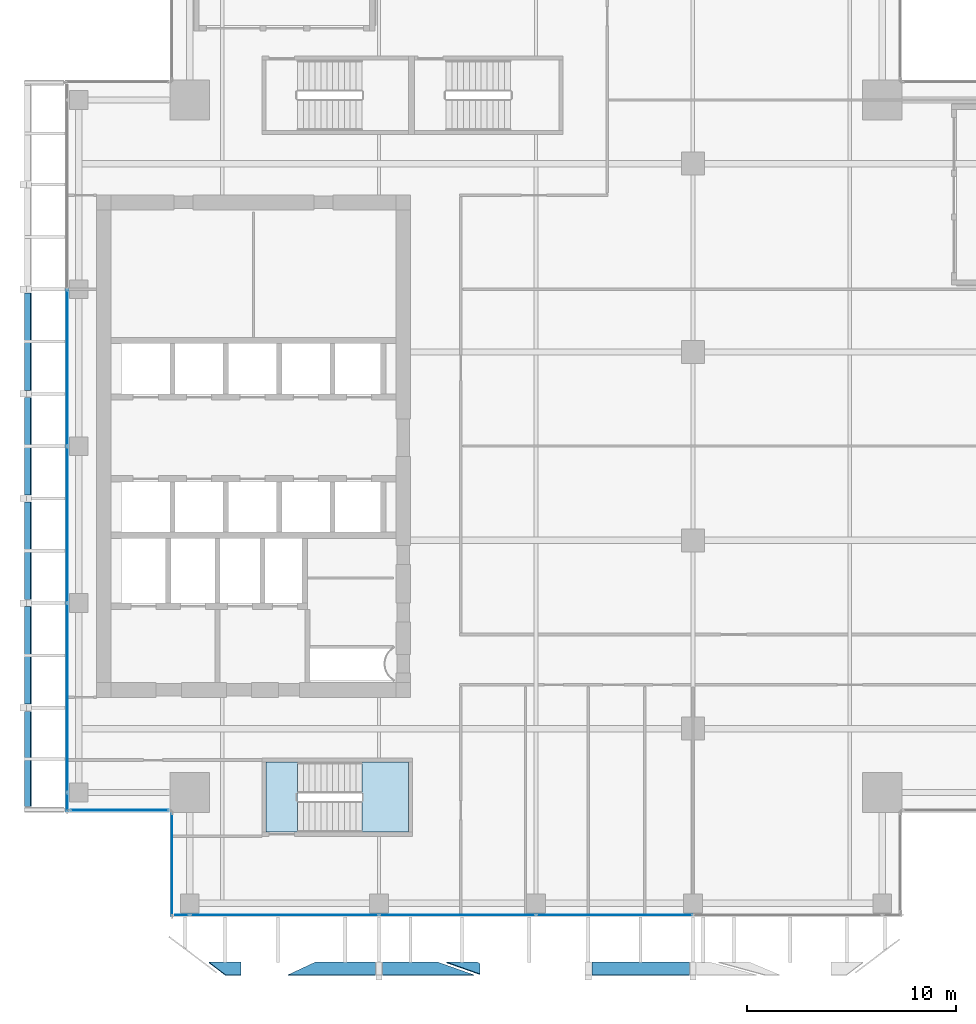
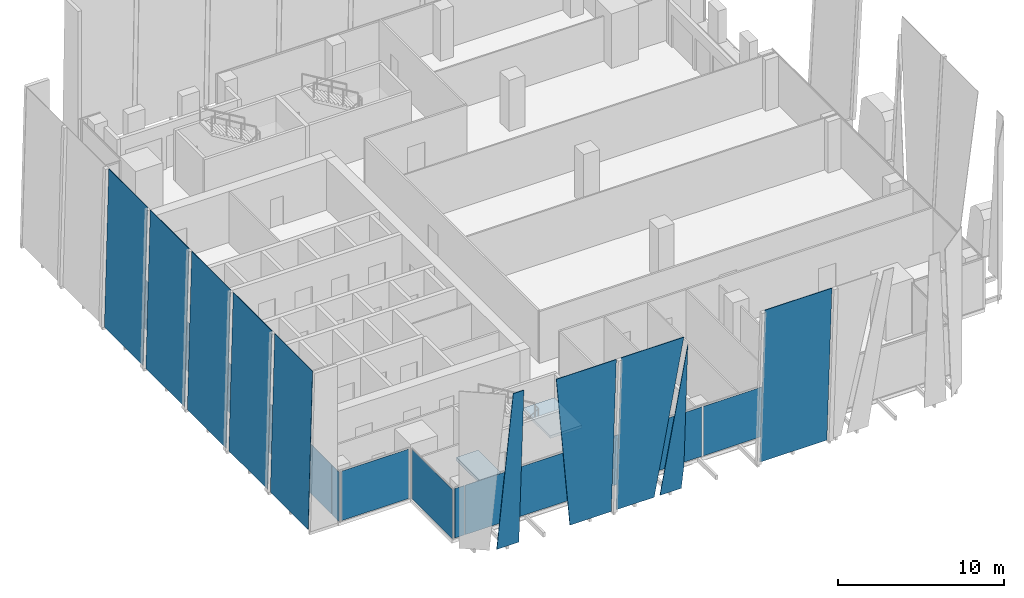
# One storey, part 23 of 35: 20 plates, 2 slabs, 5 elements without a shape of their own.
"""IFC4 building model written with IfcOpenShell, lengths in metres."""

from ifc_helpers import new_model, si_unit, direction, frame, origin, origin_2d, place, context, subcontext, project, spatial, polyline, rectangle, outline, extrude, source, transform, mapped, material, layer, layer_set, type_object, element, aggregate, save


model = new_model("IFC4")

# Units and contexts
model_context = context("Model", 3, precision=1e-05, world=origin(), true_north=direction((0.0, 1.0)))
body_context = subcontext(model_context, "Body", "Model", "MODEL_VIEW")
ifc_project = project(units=[si_unit("LENGTHUNIT", "METRE"), si_unit("AREAUNIT", "SQUARE_METRE"), si_unit("VOLUMEUNIT", "CUBIC_METRE"), si_unit("PLANEANGLEUNIT", "RADIAN"), si_unit("MASSUNIT", "GRAM", prefix="KILO")], contexts=[model_context])

# Site, building, storey
site_placement = place(None, origin())
site = spatial("IfcSite", under=ifc_project, at=site_placement, CompositionType="ELEMENT")
building_placement = place(site_placement, origin())
building = spatial("IfcBuilding", under=site, at=building_placement, Name="Khomas Fold Tower", CompositionType="ELEMENT")
storey_placement = place(building_placement, frame((0.0, 0.0, 246.199951171875)))
storey = spatial("IfcBuildingStorey", under=building, at=storey_placement, Name="L55", CompositionType="ELEMENT", Elevation=246.199951171875)

# Plates
ifc_material_1 = material(Name="Clear laminated glass", Category="glass")
ifc_layer_1 = layer(ifc_material_1, 0.0400390625)
ifc_layer_set_1 = layer_set([ifc_layer_1], Name="Clear laminated glass")
plate_type_1 = type_object("IfcPlateType", Name="SK-Clear laminated glass leaf", PredefinedType="SHEET", material=ifc_layer_set_1)
plate_1_placement = place(storey_placement, frame((12.89990234375, 2.34228515625, 0.0), z_axis=(0.0, 0.99862882819, 0.052349436554), x_axis=(-1.0, 0.0, 0.0)))
element("IfcPlate", 1, at=plate_1_placement, inside=storey, type_object=plate_type_1, Name="OUTER SKIN glass L55 SG098-1", PredefinedType="SHEET", context=body_context, shape_type="SweptSolid", body=[
    extrude(outline(polyline([(0.0, 0.0), (1.537841796875, 0.0), (0.73828125, 11.565907674683308), (0.0, 11.565907674683308), (0.0, 0.0)])), origin(), (0.0, 0.0, -1.0), 0.0400390625),
])
plate_2_placement = place(storey_placement, frame((24.199462890625, 2.34228515625, 0.0), z_axis=(-3.3388497e-05, 0.998629448689, 0.052337587797), x_axis=(-0.999999999443, -3.3342736e-05, -1.747473e-06)))
element("IfcPlate", 2, at=plate_2_placement, inside=storey, type_object=plate_type_1, Name="OUTER SKIN glass L55 SG100-3", PredefinedType="SHEET", context=body_context, shape_type="SweptSolid", body=[
    extrude(outline(polyline([(0.0, 0.0), (1.4819335929239765, 0.0), (-0.13061523444780443, 10.868900057176548), (-0.13061523609985173, 1.6103585571241918), (0.0, 0.0)])), origin(), (0.0, 0.0, -1.0), 0.0400390625),
])
plate_3_placement = place(storey_placement, frame((16.451171875, 2.34228515625, 0.0), z_axis=(0.0, 0.99862882819, 0.052349436554), x_axis=(-0.111637957414, -0.052022197367, 0.99238634485)))
element("IfcPlate", 3, at=plate_3_placement, inside=storey, type_object=plate_type_1, Name="OUTER SKIN glass L55 SG099-4", PredefinedType="SHEET", context=body_context, shape_type="SweptSolid", body=[
    extrude(outline(polyline([(0.0, 0.0), (11.638661583826925, -2.220446049250313e-16), (11.172213340862719, 4.152104358254547), (-0.3213952133360947, 2.8609100498152173), (0.0, 0.0)])), origin(), (0.0, 0.0, -1.0), 0.0400390625),
])
plate_4_placement = place(storey_placement, frame((22.313232421875, 2.34228515625, 0.0), z_axis=(0.0, 0.99862882819, 0.052349436554), x_axis=(-1.0, 0.0, 0.0)))
element("IfcPlate", 4, at=plate_4_placement, inside=storey, type_object=plate_type_1, Name="OUTER SKIN glass L55 SG100-6", PredefinedType="SHEET", context=body_context, shape_type="SweptSolid", body=[
    extrude(outline(polyline([(0.0, 0.0), (2.643310546875, 0.0), (2.643310546875, 11.565907674683308), (-1.7158203125, 11.565907674683308), (0.0, 0.0)])), origin(), (0.0, 0.0, -1.0), 0.0400390625),
])
plate_5_placement = place(storey_placement, frame((29.669921875, 2.34228515625, 0.0), z_axis=(0.0, 0.99862882819, 0.052349436554), x_axis=(0.0, -0.052349436554, 0.99862882819)))
element("IfcPlate", 5, at=plate_5_placement, inside=storey, type_object=plate_type_1, Name="OUTER SKIN glass L55 SG102-9", PredefinedType="SHEET", context=body_context, shape_type="SweptSolid", body=[
    extrude(outline(polyline([(0.0, 0.0), (11.565907674683308, 0.0), (11.565907674683308, 4.66015625), (0.0, 4.66015625), (0.0, 0.0)])), origin(), (0.0, 0.0, -1.0), 0.0400390625),
])
plate_6_placement = place(storey_placement, frame((2.549072265625, 9.77001953125, 0.0009765625), z_axis=(-0.999657230839, 0.0, 0.026180543005), x_axis=(0.0, 1.0, 0.0)))
element("IfcPlate", 6, at=plate_6_placement, inside=storey, type_object=plate_type_1, Name="OUTER SKIN glass L55 W1", PredefinedType="SHEET", context=body_context, shape_type="SweptSolid", body=[
    extrude(outline(polyline([(0.0, 0.0), (4.56005859375, 0.0), (4.56005859375, -11.554009186164079), (0.0, -11.554009186164079), (0.0, 0.0)])), origin(), (0.0, 0.0, -1.0), 0.0400390625),
])
for number, where, z_axis, x_axis, name in (
    (7, (2.549072265625, 14.669921875, 0.0009765625), (-0.999657230839, 0.0, 0.026180543005), (0.0, 1.0, 0.0), "OUTER SKIN glass L55 W3"),
    (8, (2.549072265625, 19.669921875, 0.0009765625), (-0.999657230839, 0.0, 0.026180543005), (0.0, 1.0, 0.0), "OUTER SKIN glass L55 W5"),
    (9, (2.549072265625, 24.669921875, 0.0009765625), (-0.999657230839, 0.0, 0.026180543005), (0.0, 1.0, 0.0), "OUTER SKIN glass L55 W7"),
    (10, (2.549072265625, 29.669921875, 0.0009765625), (-0.999657230839, 0.0, 0.026180543005), (0.0, 1.0, 0.0), "OUTER SKIN glass L55 W9"),
):
    element("IfcPlate", number, at=place(storey_placement, frame(where, z_axis=z_axis, x_axis=x_axis)), inside=storey, type_object=plate_type_1, Name=name, PredefinedType="SHEET", context=body_context, shape_type="SweptSolid", body=[
        extrude(outline(polyline([(0.0, 0.0), (4.66015625, 0.0), (4.66015625, -11.554009186164079), (0.0, -11.554009186164079), (0.0, 0.0)])), origin(), (0.0, 0.0, -1.0), 0.0400390625),
    ])

# Curtain wall, plates
ifc_material_2 = material(Name="Aluminium framed double glazing", Category="aluminium")
curtain_wall_type = type_object("IfcCurtainWallType", Name="SK-Unitised clear-glass wall, office floors CW2", PredefinedType="NOTDEFINED", material=ifc_material_2)
curtain_wall_1_placement = place(storey_placement, origin())
curtain_wall_1 = element("IfcCurtainWall", 11, at=curtain_wall_1_placement, inside=storey, type_object=curtain_wall_type, Name="CW2 run L55 00-0", PredefinedType="NOTDEFINED")
ifc_material_3 = material(Name="Clear double glazed unit")
ifc_layer_2 = layer(ifc_material_3, 0.030029296875)
ifc_layer_set_2 = layer_set([ifc_layer_2], Name="Clear double glazed unit")
plate_type_2 = type_object("IfcPlateType", Name="SK-Unitised clear-glass wall, office floors glass panel CW2-P", PredefinedType="CURTAIN_PANEL", material=ifc_layer_set_2)
shared_shape_1 = source(origin(), body_context, "Body", "SweptSolid", [
    extrude(rectangle(XDim=0.659912109375, YDim=0.030029296875, at=origin_2d()), origin(), (0.0, 0.0, 1.0), 3.639892578125),
])
plate_7_placement = place(storey_placement, frame((10.090087890625, 4.60009765625, 0.0), z_axis=(0.0, 0.0, 1.0), x_axis=(1.0, 0.0, 0.0)))
plate_7 = element("IfcPlate", 12, at=plate_7_placement, type_object=plate_type_2, Name="CW2 glass panel 1", PredefinedType="CURTAIN_PANEL", context=body_context, shape_type="MappedRepresentation", body=[
    mapped(shared_shape_1, transform((0.0, 0.0, 0.0))),
])
shared_shape_2 = source(origin(), body_context, "Body", "SweptSolid", [
    extrude(rectangle(XDim=7.43994140625, YDim=0.030029296875, at=origin_2d()), origin(), (0.0, 0.0, 1.0), 3.639892578125),
])
plate_8_placement = place(storey_placement, frame((23.25, 4.60009765625, 0.0), z_axis=(0.0, 0.0, 1.0), x_axis=(1.0, 0.0, 0.0)))
plate_8 = element("IfcPlate", 13, at=plate_8_placement, type_object=plate_type_2, Name="CW2 glass panel 3", PredefinedType="CURTAIN_PANEL", context=body_context, shape_type="MappedRepresentation", body=[
    mapped(shared_shape_2, transform((0.0, 0.0, 0.0))),
])
plate_9_placement = place(storey_placement, frame((30.75, 4.60009765625, 0.0), z_axis=(0.0, 0.0, 1.0), x_axis=(1.0, 0.0, 0.0)))
plate_9 = element("IfcPlate", 14, at=plate_9_placement, type_object=plate_type_2, Name="CW2 glass panel 4", PredefinedType="CURTAIN_PANEL", context=body_context, shape_type="MappedRepresentation", body=[
    mapped(shared_shape_2, transform((0.0, 0.0, 0.0))),
])

curtain_wall_2_placement = place(storey_placement, origin())
curtain_wall_2 = element("IfcCurtainWall", 15, at=curtain_wall_2_placement, inside=storey, type_object=curtain_wall_type, Name="CW2 run L55 09-0", PredefinedType="NOTDEFINED")
plate_10_placement = place(storey_placement, frame((4.60009765625, 30.75, 0.0), z_axis=(0.0, 0.0, 1.0), x_axis=(0.0, -1.0, 0.0)))
plate_10 = element("IfcPlate", 16, at=plate_10_placement, type_object=plate_type_2, Name="CW2 glass panel 3", PredefinedType="CURTAIN_PANEL", context=body_context, shape_type="MappedRepresentation", body=[
    mapped(shared_shape_2, transform((0.0, 0.0, 0.0))),
])
plate_11_placement = place(storey_placement, frame((4.60009765625, 23.25, 0.0), z_axis=(0.0, 0.0, 1.0), x_axis=(0.0, -1.0, 0.0)))
plate_11 = element("IfcPlate", 17, at=plate_11_placement, type_object=plate_type_2, Name="CW2 glass panel 4", PredefinedType="CURTAIN_PANEL", context=body_context, shape_type="MappedRepresentation", body=[
    mapped(shared_shape_2, transform((0.0, 0.0, 0.0))),
])
shared_shape_3 = source(origin(), body_context, "Body", "SweptSolid", [
    extrude(rectangle(XDim=0.860107421875, YDim=0.030029296875, at=origin_2d()), origin(), (0.0, 0.0, 1.0), 3.639892578125),
])
plate_12_placement = place(storey_placement, frame((4.60009765625, 9.989990234375, 0.0), z_axis=(0.0, 0.0, 1.0), x_axis=(0.0, -1.0, 0.0)))
plate_12 = element("IfcPlate", 18, at=plate_12_placement, type_object=plate_type_2, Name="CW2 glass panel 6", PredefinedType="CURTAIN_PANEL", context=body_context, shape_type="MappedRepresentation", body=[
    mapped(shared_shape_3, transform((0.0, 0.0, 0.0))),
])

# Plate
shared_shape_4 = source(origin(), body_context, "Body", "SweptSolid", [
    extrude(rectangle(XDim=8.989990234375, YDim=0.030029296875, at=origin_2d()), origin(), (0.0, 0.0, 1.0), 3.639892578125),
])
plate_13_placement = place(storey_placement, frame((14.97509765625, 4.60009765625, 0.0), z_axis=(0.0, 0.0, 1.0), x_axis=(1.0, 0.0, 0.0)))
plate_13 = element("IfcPlate", 19, at=plate_13_placement, type_object=plate_type_2, Name="CW2 glass panel 2", PredefinedType="CURTAIN_PANEL", context=body_context, shape_type="MappedRepresentation", body=[
    mapped(shared_shape_4, transform((0.0, 0.0, 0.0))),
])

aggregate(curtain_wall_1, [plate_7, plate_13, plate_8, plate_9])

plate_14_placement = place(storey_placement, frame((4.60009765625, 14.97509765625, 0.0), z_axis=(0.0, 0.0, 1.0), x_axis=(0.0, -1.0, 0.0)))
plate_14 = element("IfcPlate", 20, at=plate_14_placement, type_object=plate_type_2, Name="CW2 glass panel 5", PredefinedType="CURTAIN_PANEL", context=body_context, shape_type="MappedRepresentation", body=[
    mapped(shared_shape_4, transform((0.0, 0.0, 0.0))),
])

aggregate(curtain_wall_2, [plate_10, plate_11, plate_14, plate_12])

# Curtain wall, plate
curtain_wall_3_placement = place(storey_placement, origin())
curtain_wall_3 = element("IfcCurtainWall", 21, at=curtain_wall_3_placement, inside=storey, type_object=curtain_wall_type, Name="CW2 corner return L55 10", PredefinedType="NOTDEFINED")
shared_shape_5 = source(origin(), body_context, "Body", "SweptSolid", [
    extrude(rectangle(XDim=4.679931640625, YDim=0.030029296875, at=origin_2d()), origin(), (0.0, 0.0, 1.0), 3.639892578125),
])
plate_15_placement = place(storey_placement, frame((7.10009765625, 9.60009765625, 0.0), z_axis=(0.0, 0.0, 1.0), x_axis=(1.0, 0.0, 0.0)))
plate_15 = element("IfcPlate", 22, at=plate_15_placement, type_object=plate_type_2, Name="CW2 glass panel 1", PredefinedType="CURTAIN_PANEL", context=body_context, shape_type="MappedRepresentation", body=[
    mapped(shared_shape_5, transform((0.0, 0.0, 0.0))),
])
aggregate(curtain_wall_3, [plate_15])

curtain_wall_4_placement = place(storey_placement, origin())
curtain_wall_4 = element("IfcCurtainWall", 23, at=curtain_wall_4_placement, inside=storey, type_object=curtain_wall_type, Name="CW2 corner return L55 11", PredefinedType="NOTDEFINED")
shared_shape_6 = source(origin(), body_context, "Body", "SweptSolid", [
    extrude(rectangle(XDim=4.8798828125, YDim=0.030029296875, at=origin_2d()), origin(), (0.0, 0.0, 1.0), 3.639892578125),
])
plate_16_placement = place(storey_placement, frame((9.60009765625, 7.0, 0.0), z_axis=(0.0, 0.0, 1.0), x_axis=(0.0, -1.0, 0.0)))
plate_16 = element("IfcPlate", 24, at=plate_16_placement, type_object=plate_type_2, Name="CW2 glass panel 1", PredefinedType="CURTAIN_PANEL", context=body_context, shape_type="MappedRepresentation", body=[
    mapped(shared_shape_6, transform((0.0, 0.0, 0.0))),
])
aggregate(curtain_wall_4, [plate_16])

# Stair, slab
ifc_material_4 = material(Name="Concrete C40/50", Category="concrete")
stair_type = type_object("IfcStairType", Name="Stair ST2", PredefinedType="HALF_TURN_STAIR", material=ifc_material_4)
stair_placement = place(storey_placement, origin())
stair = element("IfcStair", 25, at=stair_placement, inside=storey, type_object=stair_type, Name="L55 ST2", PredefinedType="HALF_TURN_STAIR")
ifc_material_5 = material(Name="Concrete C40/50", Category="concrete")
ifc_layer_3 = layer(ifc_material_5, 0.199951171875)
ifc_layer_set_3 = layer_set([ifc_layer_3], Name="Concrete C40/50")
slab_type_1 = type_object("IfcSlabType", Name="Stair landing 200", PredefinedType="LANDING", material=ifc_layer_set_3)
shared_shape_7 = source(origin(), body_context, "Body", "SweptSolid", [
    extrude(outline(polyline([(18.679931640625, 8.550048828125), (20.89990234375, 8.550048828125), (20.89990234375, 11.89990234375), (18.679931640625, 11.89990234375), (18.679931640625, 8.550048828125)])), origin(), (0.0, 0.0, 1.0), 0.199951171875),
])
slab_1_placement = place(storey_placement, frame((0.0, 0.0, 1.800048828125)))
slab_1 = element("IfcSlab", 26, at=slab_1_placement, type_object=slab_type_1, Name="ST2 landing 1", PredefinedType="LANDING", context=body_context, shape_type="MappedRepresentation", body=[
    mapped(shared_shape_7, transform((0.0, 0.0, 0.0))),
])
aggregate(stair, [slab_1])

# Slab
ifc_material_6 = material(Name="Concrete C40/50", Category="concrete")
ifc_layer_4 = layer(ifc_material_6, 0.25)
ifc_layer_set_4 = layer_set([ifc_layer_4], Name="Concrete C40/50")
slab_type_2 = type_object("IfcSlabType", Name="Stair floor landing 250", PredefinedType="LANDING", material=ifc_layer_set_4)
shared_shape_8 = source(origin(), body_context, "Body", "SweptSolid", [
    extrude(outline(polyline([(15.60009765625, 8.550048828125), (14.10009765625, 8.550048828125), (14.10009765625, 11.89990234375), (15.60009765625, 11.89990234375), (15.60009765625, 8.550048828125)])), origin(), (0.0, 0.0, 1.0), 0.25),
])
slab_2_placement = place(storey_placement, frame((0.0, 0.0, -0.25)))
element("IfcSlab", 27, at=slab_2_placement, inside=storey, type_object=slab_type_2, Name="ST2 floor landing", PredefinedType="LANDING", context=body_context, shape_type="MappedRepresentation", body=[
    mapped(shared_shape_8, transform((0.0, 0.0, 0.0))),
])

save(model, "model.ifc")
